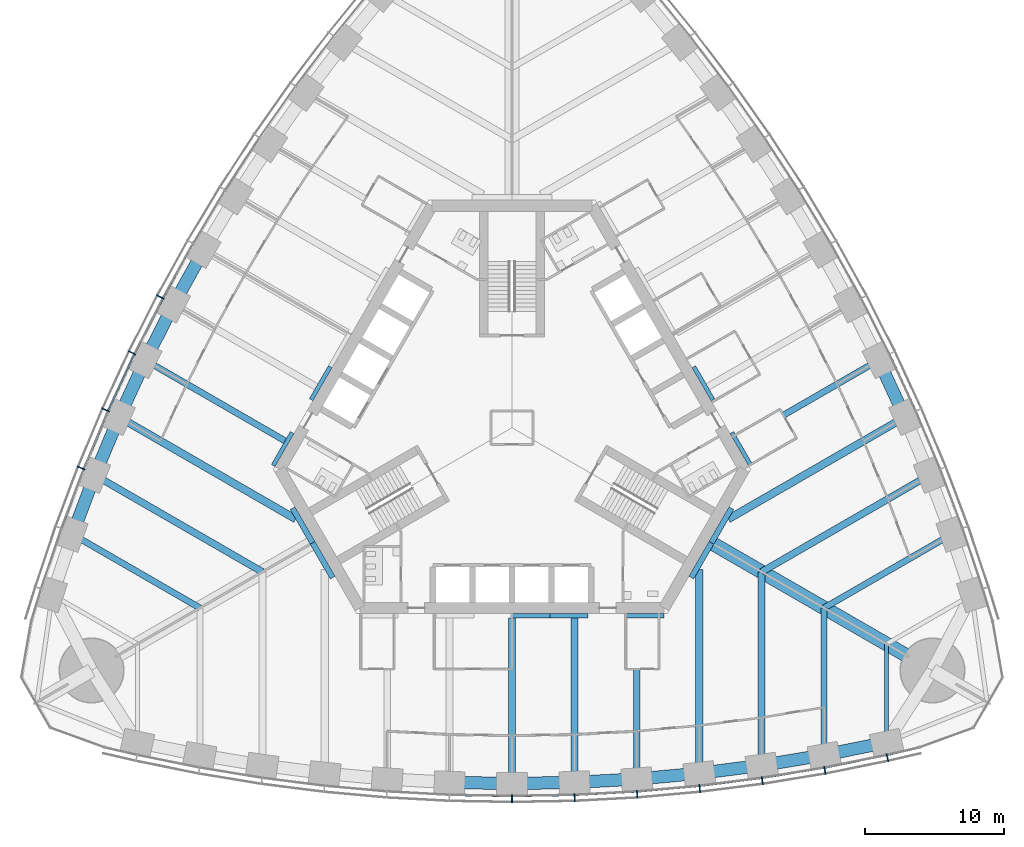
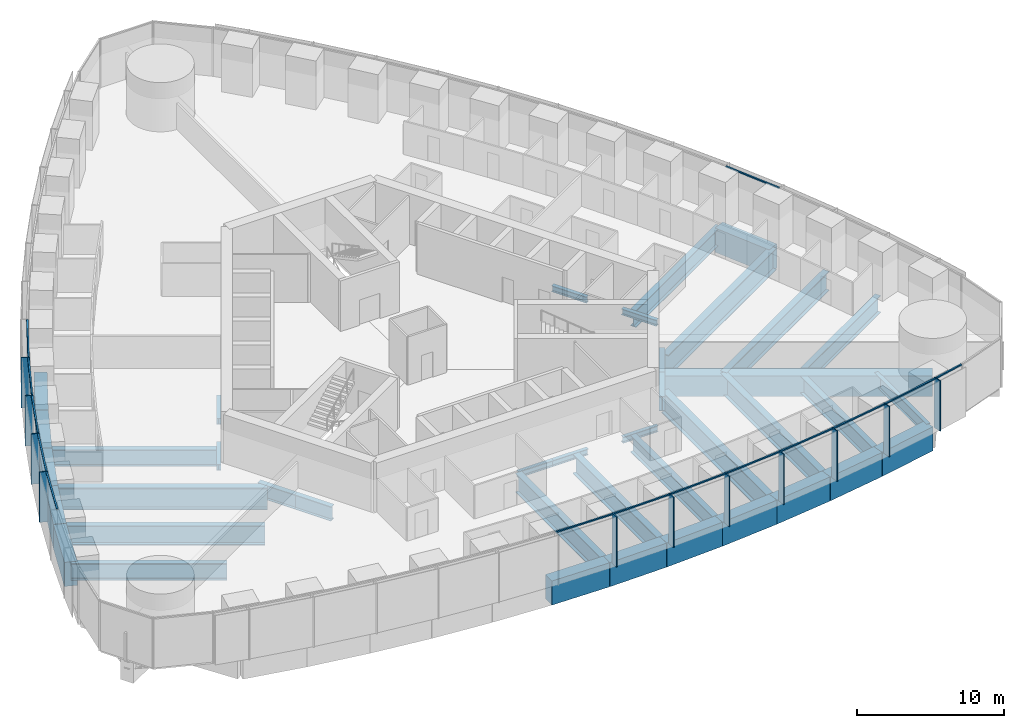
# One storey, part 3 of 19: 40 beams, 25 members, 3 elements without a shape of their own.
"""IFC4 building model written with IfcOpenShell, lengths in metres."""

from ifc_helpers import new_model, si_unit, direction, frame, origin, origin_2d, place, context, subcontext, project, spatial, rectangle, i_section, extrude, material, material_profile, profile_set, type_object, element, aggregate, save


model = new_model("IFC4")

# Units and contexts
model_context = context("Model", 3, precision=1e-05, world=origin(), true_north=direction((0.0, 1.0)))
body_context = subcontext(model_context, "Body", "Model", "MODEL_VIEW")
ifc_project = project(units=[si_unit("LENGTHUNIT", "METRE"), si_unit("AREAUNIT", "SQUARE_METRE"), si_unit("VOLUMEUNIT", "CUBIC_METRE"), si_unit("PLANEANGLEUNIT", "RADIAN"), si_unit("MASSUNIT", "GRAM", prefix="KILO")], contexts=[model_context])

# Site, building, storey
site_placement = place(None, origin())
site = spatial("IfcSite", under=ifc_project, at=site_placement, CompositionType="ELEMENT")
building_placement = place(site_placement, origin())
building = spatial("IfcBuilding", under=site, at=building_placement, Name="Trefoil Bronze Tower", CompositionType="ELEMENT")
storey_placement = place(building_placement, frame((0.0, 0.0, 107.300048828125)))
storey = spatial("IfcBuildingStorey", under=building, at=storey_placement, Name="L24", CompositionType="ELEMENT", Elevation=107.300048828125)

# Curtain wall, members
ifc_material_1 = material(Name="Tinted solar-control glass", Category="glass")
curtain_wall_type = type_object("IfcCurtainWallType", Name="Bronze office curtain wall", PredefinedType="USERDEFINED", material=ifc_material_1)
curtain_wall_1_placement = place(storey_placement, origin())
curtain_wall_1 = element("IfcCurtainWall", 1, at=curtain_wall_1_placement, inside=storey, type_object=curtain_wall_type, Name="CW-A L24 F1", ObjectType="CURTAIN WALL", PredefinedType="USERDEFINED")
ifc_material_2 = material(Name="Bronze-finish aluminium", Category="aluminium")
ifc_material_profile_1 = material_profile(ifc_material_2, rectangle(XDim=0.60009765625, YDim=0.080078125, at=origin_2d()), Name="CW-A mullion")
ifc_profile_set_1 = profile_set([ifc_material_profile_1], Name="Bronze-finish aluminium")
member_type_1 = type_object("IfcMemberType", Name="Bronze office curtain wall mullion", PredefinedType="MULLION", material=ifc_profile_set_1)
member_1_placement = place(storey_placement, frame((0.0, -26.749755859375, 0.0), z_axis=(0.0, 0.0, 1.0), x_axis=(0.0, 1.0, 0.0)))
member_1 = element("IfcMember", 2, at=member_1_placement, type_object=member_type_1, Name="CW-A L24 F1 mullion 8", PredefinedType="MULLION", context=body_context, shape_type="SweptSolid", body=[
    extrude(rectangle(XDim=0.60009765625, YDim=0.080078125, at=origin_2d()), origin(), (0.0, 0.0, 1.0), 4.179931640625),
])
member_2_placement = place(storey_placement, frame((4.5107421875, -26.66845703125, 0.0), z_axis=(0.0, 0.0, 1.0), x_axis=(-0.036047792107, 0.999350067136, 0.0)))
member_2 = element("IfcMember", 3, at=member_2_placement, type_object=member_type_1, Name="CW-A L24 F1 mullion 9", PredefinedType="MULLION", context=body_context, shape_type="SweptSolid", body=[
    extrude(rectangle(XDim=0.60009765625, YDim=0.080078125, at=origin_2d()), origin(), (0.0, 0.0, 1.0), 4.179931640625),
])
member_3_placement = place(storey_placement, frame((9.021728515625, -26.424072265625, 0.0), z_axis=(0.0, 0.0, 1.0), x_axis=(-0.072095676284, 0.997397720802, 0.0)))
member_3 = element("IfcMember", 4, at=member_3_placement, type_object=member_type_1, Name="CW-A L24 F1 mullion 10", PredefinedType="MULLION", context=body_context, shape_type="SweptSolid", body=[
    extrude(rectangle(XDim=0.60009765625, YDim=0.080078125, at=origin_2d()), origin(), (0.0, 0.0, 1.0), 4.179931640625),
])
member_4_placement = place(storey_placement, frame((13.532470703125, -26.01611328125, 0.0), z_axis=(0.0, 0.0, 1.0), x_axis=(-0.108143747013, 0.994135267447, 0.0)))
member_4 = element("IfcMember", 5, at=member_4_placement, type_object=member_type_1, Name="CW-A L24 F1 mullion 11", PredefinedType="MULLION", context=body_context, shape_type="SweptSolid", body=[
    extrude(rectangle(XDim=0.60009765625, YDim=0.080078125, at=origin_2d()), origin(), (0.0, 0.0, 1.0), 4.179931640625),
])
member_5_placement = place(storey_placement, frame((18.043212890625, -25.4423828125, 0.0), z_axis=(0.0, 0.0, 1.0), x_axis=(-0.144192103798, 0.989549714366, 0.0)))
member_5 = element("IfcMember", 6, at=member_5_placement, type_object=member_type_1, Name="CW-A L24 F1 mullion 12", PredefinedType="MULLION", context=body_context, shape_type="SweptSolid", body=[
    extrude(rectangle(XDim=0.60009765625, YDim=0.080078125, at=origin_2d()), origin(), (0.0, 0.0, 1.0), 4.179931640625),
])
member_6_placement = place(storey_placement, frame((22.553955078125, -24.700927734375, 0.0), z_axis=(0.0, 0.0, 1.0), x_axis=(-0.180240853954, 0.98362250613, 0.0)))
member_6 = element("IfcMember", 7, at=member_6_placement, type_object=member_type_1, Name="CW-A L24 F1 mullion 13", PredefinedType="MULLION", context=body_context, shape_type="SweptSolid", body=[
    extrude(rectangle(XDim=0.60009765625, YDim=0.080078125, at=origin_2d()), origin(), (0.0, 0.0, 1.0), 4.179931640625),
])
member_7_placement = place(storey_placement, frame((27.0634765625, -23.7890625, 0.0), z_axis=(0.0, 0.0, 1.0), x_axis=(-0.21197042503, 0.977276081214, 0.0)))
member_7 = element("IfcMember", 8, at=member_7_placement, type_object=member_type_1, Name="CW-A L24 F1 mullion 14", PredefinedType="MULLION", context=body_context, shape_type="SweptSolid", body=[
    extrude(rectangle(XDim=0.60009765625, YDim=0.080078125, at=origin_2d()), origin(), (0.0, 0.0, 1.0), 4.179931640625),
])

curtain_wall_2_placement = place(storey_placement, origin())
curtain_wall_2 = element("IfcCurtainWall", 9, at=curtain_wall_2_placement, inside=storey, type_object=curtain_wall_type, Name="CW-A L24 F3", ObjectType="CURTAIN WALL", PredefinedType="USERDEFINED")
member_8_placement = place(storey_placement, frame((-25.350830078125, 9.427734375, 0.0), z_axis=(0.0, 0.0, 1.0), x_axis=(0.883486441467, -0.468456729853, 0.0)))
member_8 = element("IfcMember", 10, at=member_8_placement, type_object=member_type_1, Name="CW-A L24 F3 mullion 9", PredefinedType="MULLION", context=body_context, shape_type="SweptSolid", body=[
    extrude(rectangle(XDim=0.60009765625, YDim=0.080078125, at=origin_2d()), origin(), (0.0, 0.0, 1.0), 4.179931640625),
])
member_9_placement = place(storey_placement, frame((-27.394775390625, 5.399169921875, 0.0), z_axis=(0.0, 0.0, 1.0), x_axis=(0.899819602033, -0.436262173236, 0.0)))
member_9 = element("IfcMember", 11, at=member_9_placement, type_object=member_type_1, Name="CW-A L24 F3 mullion 10", PredefinedType="MULLION", context=body_context, shape_type="SweptSolid", body=[
    extrude(rectangle(XDim=0.60009765625, YDim=0.080078125, at=origin_2d()), origin(), (0.0, 0.0, 1.0), 4.179931640625),
])
member_10_placement = place(storey_placement, frame((-29.296875, 1.28857421875, 0.0), z_axis=(0.0, 0.0, 1.0), x_axis=(0.915018269914, -0.40341240155, 0.0)))
member_10 = element("IfcMember", 12, at=member_10_placement, type_object=member_type_1, Name="CW-A L24 F3 mullion 11", PredefinedType="MULLION", context=body_context, shape_type="SweptSolid", body=[
    extrude(rectangle(XDim=0.60009765625, YDim=0.080078125, at=origin_2d()), origin(), (0.0, 0.0, 1.0), 4.179931640625),
])
member_11_placement = place(storey_placement, frame((-31.055419921875, -2.90478515625, 0.0), z_axis=(0.0, 0.0, 1.0), x_axis=(0.929071242848, -0.369900832269, 0.0)))
member_11 = element("IfcMember", 13, at=member_11_placement, type_object=member_type_1, Name="CW-A L24 F3 mullion 12", PredefinedType="MULLION", context=body_context, shape_type="SweptSolid", body=[
    extrude(rectangle(XDim=0.60009765625, YDim=0.080078125, at=origin_2d()), origin(), (0.0, 0.0, 1.0), 4.179931640625),
])

# Member
ifc_material_3 = material(Name="Bronze-finish aluminium", Category="aluminium")
ifc_material_profile_2 = material_profile(ifc_material_3, rectangle(XDim=0.1201171875, YDim=0.10009765625, at=origin_2d()), Name="CW-A transom")
ifc_profile_set_2 = profile_set([ifc_material_profile_2], Name="Bronze-finish aluminium")
member_type_2 = type_object("IfcMemberType", Name="Bronze office curtain wall transom", PredefinedType="USERDEFINED", material=ifc_profile_set_2)
member_12_placement = place(storey_placement, frame((-4.4619140625, -26.46923828125, 4.1298828125), z_axis=(0.999837930028, -0.018003157426, 0.0), x_axis=(0.018003157426, 0.999837930028, 0.0)))
member_12 = element("IfcMember", 14, at=member_12_placement, type_object=member_type_2, Name="CW-A L24 F1 transom 7", ObjectType="TRANSOM", PredefinedType="USERDEFINED", context=body_context, shape_type="SweptSolid", body=[
    extrude(rectangle(XDim=0.1201171875, YDim=0.10009765625, at=origin_2d()), origin(), (0.0, 0.0, 1.0), 4.4208984375),
])

member_13_placement = place(storey_placement, frame((0.041748046875, -26.548828125, 4.1298828125), z_axis=(0.999837930028, 0.018003157426, 0.0), x_axis=(-0.018003157426, 0.999837930028, 0.0)))
member_13 = element("IfcMember", 15, at=member_13_placement, type_object=member_type_2, Name="CW-A L24 F1 transom 8", ObjectType="TRANSOM", PredefinedType="USERDEFINED", context=body_context, shape_type="SweptSolid", body=[
    extrude(rectangle(XDim=0.1201171875, YDim=0.10009765625, at=origin_2d()), origin(), (0.0, 0.0, 1.0), 4.4208984375),
])

member_14_placement = place(storey_placement, frame((4.54541015625, -26.46630859375, 4.1298828125), z_axis=(0.998538253569, 0.054049571306, 0.0), x_axis=(-0.054049571306, 0.998538253569, 0.0)))
member_14 = element("IfcMember", 16, at=member_14_placement, type_object=member_type_2, Name="CW-A L24 F1 transom 9", ObjectType="TRANSOM", PredefinedType="USERDEFINED", context=body_context, shape_type="SweptSolid", body=[
    extrude(rectangle(XDim=0.1201171875, YDim=0.10009765625, at=origin_2d()), origin(), (0.0, 0.0, 1.0), 4.4267578125),
])

member_15_placement = place(storey_placement, frame((9.048828125, -26.220947265625, 4.1298828125), z_axis=(0.995932787062, 0.090099298863, 0.0), x_axis=(-0.090099298863, 0.995932787062, 0.0)))
member_15 = element("IfcMember", 17, at=member_15_placement, type_object=member_type_2, Name="CW-A L24 F1 transom 10", ObjectType="TRANSOM", PredefinedType="USERDEFINED", context=body_context, shape_type="SweptSolid", body=[
    extrude(rectangle(XDim=0.1201171875, YDim=0.10009765625, at=origin_2d()), origin(), (0.0, 0.0, 1.0), 4.4384765625),
])

member_16_placement = place(storey_placement, frame((13.55224609375, -25.81201171875, 4.1298828125), z_axis=(0.992008387848, 0.12617193998, 0.0), x_axis=(-0.12617193998, 0.992008387848, 0.0)))
member_16 = element("IfcMember", 18, at=member_16_placement, type_object=member_type_2, Name="CW-A L24 F1 transom 11", ObjectType="TRANSOM", PredefinedType="USERDEFINED", context=body_context, shape_type="SweptSolid", body=[
    extrude(rectangle(XDim=0.1201171875, YDim=0.10009765625, at=origin_2d()), origin(), (0.0, 0.0, 1.0), 4.456298828125),
])

member_17_placement = place(storey_placement, frame((18.0556640625, -25.23779296875, 4.1298828125), z_axis=(0.986755265284, 0.162216048636, 0.0), x_axis=(-0.162216048636, 0.986755265284, 0.0)))
member_17 = element("IfcMember", 19, at=member_17_placement, type_object=member_type_2, Name="CW-A L24 F1 transom 12", ObjectType="TRANSOM", PredefinedType="USERDEFINED", context=body_context, shape_type="SweptSolid", body=[
    extrude(rectangle(XDim=0.1201171875, YDim=0.10009765625, at=origin_2d()), origin(), (0.0, 0.0, 1.0), 4.48046875),
])

member_18_placement = place(storey_placement, frame((22.55908203125, -24.49609375, 4.1298828125), z_axis=(0.980153749225, 0.198238815273, 0.0), x_axis=(-0.198238815273, 0.980153749225, 0.0)))
member_18 = element("IfcMember", 20, at=member_18_placement, type_object=member_type_2, Name="CW-A L24 F1 transom 13", ObjectType="TRANSOM", PredefinedType="USERDEFINED", context=body_context, shape_type="SweptSolid", body=[
    extrude(rectangle(XDim=0.1201171875, YDim=0.10009765625, at=origin_2d()), origin(), (0.0, 0.0, 1.0), 4.51123046875),
])

member_19_placement = place(storey_placement, frame((27.0615234375, -23.584228515625, 4.1298828125), z_axis=(0.974206243495, 0.225659467196, 0.0), x_axis=(-0.225659467196, 0.974206243495, 0.0)))
member_19 = element("IfcMember", 21, at=member_19_placement, type_object=member_type_2, Name="CW-A L24 F1 transom 14", ObjectType="TRANSOM", PredefinedType="USERDEFINED", context=body_context, shape_type="SweptSolid", body=[
    extrude(rectangle(XDim=0.1201171875, YDim=0.10009765625, at=origin_2d()), origin(), (0.0, 0.0, 1.0), 2.340087890625),
])

aggregate(curtain_wall_1, [member_1, member_2, member_3, member_4, member_5, member_6, member_7, member_12, member_13, member_14, member_15, member_16, member_17, member_18, member_19])

# Curtain wall, member
curtain_wall_3_placement = place(storey_placement, origin())
curtain_wall_3 = element("IfcCurtainWall", 22, at=curtain_wall_3_placement, inside=storey, type_object=curtain_wall_type, Name="CW-A L24 F2", ObjectType="CURTAIN WALL", PredefinedType="USERDEFINED")
member_20_placement = place(storey_placement, frame((29.09619140625, 1.245849609375, 4.1298828125), z_axis=(-0.419923072198, 0.907559702409, 0.0), x_axis=(-0.907559702409, -0.419923072198, 0.0)))
member_20 = element("IfcMember", 23, at=member_20_placement, type_object=member_type_2, Name="CW-A L24 F2 transom 5", ObjectType="TRANSOM", PredefinedType="USERDEFINED", context=body_context, shape_type="SweptSolid", body=[
    extrude(rectangle(XDim=0.1201171875, YDim=0.10009765625, at=origin_2d()), origin(), (0.0, 0.0, 1.0), 4.4384765625),
])
aggregate(curtain_wall_3, [member_20])

# Member
member_21_placement = place(storey_placement, frame((-23.012939453125, 13.23828125, 4.1298828125), z_axis=(-0.484329470343, -0.874885686337, 0.0), x_axis=(0.874885686337, -0.484329470343, 0.0)))
member_21 = element("IfcMember", 24, at=member_21_placement, type_object=member_type_2, Name="CW-A L24 F3 transom 8", ObjectType="TRANSOM", PredefinedType="USERDEFINED", context=body_context, shape_type="SweptSolid", body=[
    extrude(rectangle(XDim=0.1201171875, YDim=0.10009765625, at=origin_2d()), origin(), (0.0, 0.0, 1.0), 4.4208984375),
])

member_22_placement = place(storey_placement, frame((-25.193115234375, 9.296630859375, 4.1298828125), z_axis=(-0.452478489814, -0.891775317138, 0.0), x_axis=(0.891775317138, -0.452478489814, 0.0)))
member_22 = element("IfcMember", 25, at=member_22_placement, type_object=member_type_2, Name="CW-A L24 F3 transom 9", ObjectType="TRANSOM", PredefinedType="USERDEFINED", context=body_context, shape_type="SweptSolid", body=[
    extrude(rectangle(XDim=0.1201171875, YDim=0.10009765625, at=origin_2d()), origin(), (0.0, 0.0, 1.0), 4.426513671875),
])

member_23_placement = place(storey_placement, frame((-27.232421875, 5.27392578125, 4.1298828125), z_axis=(-0.419923072198, -0.907559702409, 0.0), x_axis=(0.907559702409, -0.419923072198, 0.0)))
member_23 = element("IfcMember", 26, at=member_23_placement, type_object=member_type_2, Name="CW-A L24 F3 transom 10", ObjectType="TRANSOM", PredefinedType="USERDEFINED", context=body_context, shape_type="SweptSolid", body=[
    extrude(rectangle(XDim=0.1201171875, YDim=0.10009765625, at=origin_2d()), origin(), (0.0, 0.0, 1.0), 4.4384765625),
])

member_24_placement = place(storey_placement, frame((-29.1298828125, 1.16943359375, 4.1298828125), z_axis=(-0.386773266184, -0.922174842731, 0.0), x_axis=(0.922174842731, -0.386773266184, 0.0)))
member_24 = element("IfcMember", 27, at=member_24_placement, type_object=member_type_2, Name="CW-A L24 F3 transom 11", ObjectType="TRANSOM", PredefinedType="USERDEFINED", context=body_context, shape_type="SweptSolid", body=[
    extrude(rectangle(XDim=0.1201171875, YDim=0.10009765625, at=origin_2d()), origin(), (0.0, 0.0, 1.0), 4.45654296875),
])

member_25_placement = place(storey_placement, frame((-30.88427734375, -3.017822265625, 4.1298828125), z_axis=(-0.352932154759, -0.935648916067, 0.0), x_axis=(0.935648916067, -0.352932154759, 0.0)))
member_25 = element("IfcMember", 28, at=member_25_placement, type_object=member_type_2, Name="CW-A L24 F3 transom 12", ObjectType="TRANSOM", PredefinedType="USERDEFINED", context=body_context, shape_type="SweptSolid", body=[
    extrude(rectangle(XDim=0.1201171875, YDim=0.10009765625, at=origin_2d()), origin(), (0.0, 0.0, 1.0), 4.48046875),
])

aggregate(curtain_wall_2, [member_8, member_9, member_10, member_11, member_21, member_22, member_23, member_24, member_25])

# Beams
ifc_material_4 = material(Name="Steel C355", Category="steel")
ifc_material_profile_3 = material_profile(ifc_material_4, i_section(OverallWidth=0.300048828125, OverallDepth=0.5, WebThickness=0.014404296875, FlangeThickness=0.028076171875, FilletRadius=0.027099609375, at=origin_2d()), Name="HEB 500")
ifc_profile_set_3 = profile_set([ifc_material_profile_3], Name="Steel C355")
beam_type_1 = type_object("IfcBeamType", Name="Core seat beam HEB 500", PredefinedType="BEAM", material=ifc_profile_set_3)
for number, where, z_axis, x_axis, name in (
    (29, (0.0, -13.550048828125, -0.449951171875), (1.0, 0.0, 0.0), (0.0, 1.0, 0.0), "Core seat beam F1/+0 L24"),
    (30, (2.742431640625, -13.550048828125, -0.449951171875), (1.0, 0.0, 0.0), (0.0, 1.0, 0.0), "Core seat beam F1/+1 L24"),
    (31, (8.227294921875, -13.550048828125, -0.449951171875), (1.0, 0.0, 0.0), (0.0, 1.0, 0.0), "Core seat beam F1/+2 L24"),
    (32, (17.219482421875, -2.72509765625, -0.449951171875), (-0.500035825175, 0.866004719122, 0.0), (-0.866004719122, -0.500035825175, 0.0), "Core seat beam F2/-2 L24"),
    (33, (14.47705078125, 2.02490234375, -0.449951171875), (-0.499969057507, 0.866043267704, 0.0), (-0.866043267704, -0.499969057507, 0.0), "Core seat beam F2/-1 L24"),
    (34, (-13.10595703125, 4.39990234375, -0.449951171875), (-0.499969057507, -0.866043267704, 0.0), (0.866043267704, -0.499969057507, 0.0), "Core seat beam F3/+1 L24"),
    (35, (-15.84814453125, -0.35009765625, -0.449951171875), (-0.500035825175, -0.866004719122, 0.0), (0.866004719122, -0.500035825175, 0.0), "Core seat beam F3/+2 L24"),
):
    element("IfcBeam", number, at=place(storey_placement, frame(where, z_axis=z_axis, x_axis=x_axis)), inside=storey, type_object=beam_type_1, Name=name, PredefinedType="BEAM", context=body_context, shape_type="SweptSolid", body=[
        extrude(i_section(OverallWidth=0.300048828125, OverallDepth=0.5, WebThickness=0.014404296875, FlangeThickness=0.028076171875, FilletRadius=0.027099609375, at=origin_2d()), origin(), (0.0, 0.0, 1.0), 2.742431640625),
    ])
ifc_material_5 = material(Name="Steel C355", Category="steel")
ifc_material_profile_4 = material_profile(ifc_material_5, i_section(OverallWidth=0.39990234375, OverallDepth=1.199951171875, WebThickness=0.02001953125, FlangeThickness=0.0400390625, FilletRadius=0.010009765625, at=origin_2d()), Name="WPG 1200")
ifc_profile_set_4 = profile_set([ifc_material_profile_4], Name="Steel C355")
beam_type_2 = type_object("IfcBeamType", Name="Core seat beam WPG 1200", PredefinedType="BEAM", material=ifc_profile_set_4)
for number, where, z_axis, x_axis, name in (
    (36, (-14.3759765625, -8.300048828125, -0.800048828125), (0.499995765644, -0.866027848477, 0.0), (0.866027848477, 0.499995765644, 0.0), "Core seat beam F1/-3 L24"),
    (37, (12.9326171875, -10.800048828125, -0.800048828125), (0.499995765644, 0.866027848477, 0.0), (-0.866027848477, 0.499995765644, 0.0), "Core seat beam F1/+3 L24"),
    (38, (14.3759765625, -8.300048828125, -0.800048828125), (0.499995765644, 0.866027848477, 0.0), (-0.866027848477, 0.499995765644, 0.0), "Core seat beam F2/-3 L24"),
    (39, (-15.8193359375, -5.800048828125, -0.800048828125), (0.499995765644, -0.866027848477, 0.0), (0.866027848477, 0.499995765644, 0.0), "Core seat beam F3/+3 L24"),
):
    element("IfcBeam", number, at=place(storey_placement, frame(where, z_axis=z_axis, x_axis=x_axis)), inside=storey, type_object=beam_type_2, Name=name, PredefinedType="BEAM", context=body_context, shape_type="SweptSolid", body=[
        extrude(i_section(OverallWidth=0.39990234375, OverallDepth=1.199951171875, WebThickness=0.02001953125, FlangeThickness=0.0400390625, FilletRadius=0.010009765625, at=origin_2d()), origin(), (0.0, 0.0, 1.0), 2.88671875),
    ])
ifc_material_6 = material(Name="Concrete B80", Category="concrete")
ifc_material_profile_5 = material_profile(ifc_material_6, rectangle(XDim=1.0, YDim=1.699951171875, at=origin_2d()), Name="RC 1000x1700")
ifc_profile_set_5 = profile_set([ifc_material_profile_5], Name="Concrete B80")
beam_type_3 = type_object("IfcBeamType", Name="Corner girder RC 1000x1700", PredefinedType="BEAM", material=ifc_profile_set_5)
beam_1_placement = place(storey_placement, frame((14.202880859375, -8.199951171875, -1.050048828125), z_axis=(0.866022084834, -0.500005748546, 0.0), x_axis=(0.500005748546, 0.866022084834, 0.0)))
element("IfcBeam", 40, at=beam_1_placement, inside=storey, type_object=beam_type_3, Name="Corner girder K1 L24", PredefinedType="BEAM", context=body_context, shape_type="SweptSolid", body=[
    extrude(rectangle(XDim=1.0, YDim=1.699951171875, at=origin_2d()), origin(), (0.0, 0.0, 1.0), 18.599853515625),
])
ifc_material_7 = material(Name="Steel C355", Category="steel")
ifc_material_profile_6 = material_profile(ifc_material_7, i_section(OverallWidth=0.300048828125, OverallDepth=1.0, WebThickness=0.01904296875, FlangeThickness=0.035888671875, FilletRadius=0.030029296875, at=origin_2d()), Name="HEB 1000")
ifc_profile_set_6 = profile_set([ifc_material_profile_6], Name="Steel C355")
beam_type_4 = type_object("IfcBeamType", Name="Floor beam HEB 1000", PredefinedType="BEAM", material=ifc_profile_set_6)
beam_2_placement = place(storey_placement, frame((27.0, -22.67724609375, -0.699951171875), z_axis=(0.0, 1.0, 0.0), x_axis=(-1.0, 0.0, 0.0)))
element("IfcBeam", 41, at=beam_2_placement, inside=storey, type_object=beam_type_4, Name="Floor beam F1/+6 L24", PredefinedType="BEAM", context=body_context, shape_type="SweptSolid", body=[
    extrude(i_section(OverallWidth=0.300048828125, OverallDepth=1.0, WebThickness=0.01904296875, FlangeThickness=0.035888671875, FilletRadius=0.030029296875, at=origin_2d()), origin(), (0.0, 0.0, 1.0), 7.0888671875),
])
ifc_material_8 = material(Name="Steel C355", Category="steel")
ifc_material_profile_7 = material_profile(ifc_material_8, i_section(OverallWidth=0.449951171875, OverallDepth=1.39990234375, WebThickness=0.02294921875, FlangeThickness=0.044921875, FilletRadius=0.011962890625, at=origin_2d()), Name="WPG 1400")
ifc_profile_set_7 = profile_set([ifc_material_profile_7], Name="Steel C355")
beam_type_5 = type_object("IfcBeamType", Name="Floor beam WPG 1400", PredefinedType="BEAM", material=ifc_profile_set_7)
beam_3_placement = place(storey_placement, frame((9.0, -25.32275390625, -0.900146484375), z_axis=(0.0, 1.0, 0.0), x_axis=(-1.0, 0.0, 0.0)))
element("IfcBeam", 42, at=beam_3_placement, inside=storey, type_object=beam_type_5, Name="Floor beam F1/+2 L24", PredefinedType="BEAM", context=body_context, shape_type="SweptSolid", body=[
    extrude(i_section(OverallWidth=0.449951171875, OverallDepth=1.39990234375, WebThickness=0.02294921875, FlangeThickness=0.044921875, FilletRadius=0.011962890625, at=origin_2d()), origin(), (0.0, 0.0, 1.0), 11.622802734375),
])
beam_4_placement = place(storey_placement, frame((22.5, -23.592529296875, -0.900146484375), z_axis=(0.0, 1.0, 0.0), x_axis=(-1.0, 0.0, 0.0)))
element("IfcBeam", 43, at=beam_4_placement, inside=storey, type_object=beam_type_5, Name="Floor beam F1/+5 L24", PredefinedType="BEAM", context=body_context, shape_type="SweptSolid", body=[
    extrude(i_section(OverallWidth=0.449951171875, OverallDepth=1.39990234375, WebThickness=0.02294921875, FlangeThickness=0.044921875, FilletRadius=0.011962890625, at=origin_2d()), origin(), (0.0, 0.0, 1.0), 10.60205078125),
])
beam_5_placement = place(storey_placement, frame((31.681884765625, -7.689208984375, -0.900146484375), z_axis=(-0.866021079084, -0.500007490527, 0.0), x_axis=(0.500007490527, -0.866021079084, 0.0)))
element("IfcBeam", 44, at=beam_5_placement, inside=storey, type_object=beam_type_5, Name="Floor beam F2/-5 L24", PredefinedType="BEAM", context=body_context, shape_type="SweptSolid", body=[
    extrude(i_section(OverallWidth=0.449951171875, OverallDepth=1.39990234375, WebThickness=0.02294921875, FlangeThickness=0.044921875, FilletRadius=0.011962890625, at=origin_2d()), origin(), (0.0, 0.0, 1.0), 10.602294921875),
])
for number, where, z_axis, x_axis, name in (
    (45, (26.43017578125, 4.8671875, -0.900146484375), (-0.866021531335, -0.500006707218, 0.0), (0.500006707218, -0.866021531335, 0.0), "Floor beam F2/-2 L24"),
    (46, (-26.43017578125, 4.8671875, -0.900146484375), (0.866021531335, -0.500006707218, 0.0), (0.500006707218, 0.866021531335, 0.0), "Floor beam F3/+2 L24"),
):
    element("IfcBeam", number, at=place(storey_placement, frame(where, z_axis=z_axis, x_axis=x_axis)), inside=storey, type_object=beam_type_5, Name=name, PredefinedType="BEAM", context=body_context, shape_type="SweptSolid", body=[
        extrude(i_section(OverallWidth=0.449951171875, OverallDepth=1.39990234375, WebThickness=0.02294921875, FlangeThickness=0.044921875, FilletRadius=0.011962890625, at=origin_2d()), origin(), (0.0, 0.0, 1.0), 11.622802734375),
    ])
beam_6_placement = place(storey_placement, frame((-31.681884765625, -7.689208984375, -0.900146484375), z_axis=(0.866021079084, -0.500007490527, 0.0), x_axis=(0.500007490527, 0.866021079084, 0.0)))
element("IfcBeam", 47, at=beam_6_placement, inside=storey, type_object=beam_type_5, Name="Floor beam F3/+5 L24", PredefinedType="BEAM", context=body_context, shape_type="SweptSolid", body=[
    extrude(i_section(OverallWidth=0.449951171875, OverallDepth=1.39990234375, WebThickness=0.02294921875, FlangeThickness=0.044921875, FilletRadius=0.011962890625, at=origin_2d()), origin(), (0.0, 0.0, 1.0), 10.602294921875),
])
ifc_material_9 = material(Name="Steel C355", Category="steel")
ifc_material_profile_8 = material_profile(ifc_material_9, i_section(OverallWidth=0.5, OverallDepth=1.60009765625, WebThickness=0.02587890625, FlangeThickness=0.050048828125, FilletRadius=0.011962890625, at=origin_2d()), Name="WPG 1600")
ifc_profile_set_8 = profile_set([ifc_material_profile_8], Name="Steel C355")
beam_type_6 = type_object("IfcBeamType", Name="Floor beam WPG 1600", PredefinedType="BEAM", material=ifc_profile_set_8)
beam_7_placement = place(storey_placement, frame((0.0, -25.649658203125, -1.0), z_axis=(0.0, 1.0, 0.0), x_axis=(-1.0, 0.0, 0.0)))
element("IfcBeam", 48, at=beam_7_placement, inside=storey, type_object=beam_type_6, Name="Floor beam F1/+0 L24", PredefinedType="BEAM", context=body_context, shape_type="SweptSolid", body=[
    extrude(i_section(OverallWidth=0.5, OverallDepth=1.60009765625, WebThickness=0.02587890625, FlangeThickness=0.050048828125, FilletRadius=0.011962890625, at=origin_2d()), origin(), (0.0, 0.0, 1.0), 11.94970703125),
])
beam_8_placement = place(storey_placement, frame((4.5, -25.568115234375, -1.0), z_axis=(0.0, 1.0, 0.0), x_axis=(-1.0, 0.0, 0.0)))
element("IfcBeam", 49, at=beam_8_placement, inside=storey, type_object=beam_type_6, Name="Floor beam F1/+1 L24", PredefinedType="BEAM", context=body_context, shape_type="SweptSolid", body=[
    extrude(i_section(OverallWidth=0.5, OverallDepth=1.60009765625, WebThickness=0.02587890625, FlangeThickness=0.050048828125, FilletRadius=0.011962890625, at=origin_2d()), origin(), (0.0, 0.0, 1.0), 11.8681640625),
])
for number, where, z_axis, x_axis, name in (
    (50, (18.0, -24.337158203125, -1.0), (0.0, 1.0, 0.0), (-1.0, 0.0, 0.0), "Floor beam F1/+4 L24"),
    (51, (30.07666015625, -3.419921875, -1.0), (-0.866026983775, -0.499997263366, 0.0), (0.499997263366, -0.866026983775, 0.0), "Floor beam F2/-4 L24"),
    (52, (-30.07666015625, -3.419921875, -1.0), (0.866026983775, -0.499997263366, 0.0), (0.499997263366, 0.866026983775, 0.0), "Floor beam F3/+4 L24"),
):
    element("IfcBeam", number, at=place(storey_placement, frame(where, z_axis=z_axis, x_axis=x_axis)), inside=storey, type_object=beam_type_6, Name=name, PredefinedType="BEAM", context=body_context, shape_type="SweptSolid", body=[
        extrude(i_section(OverallWidth=0.5, OverallDepth=1.60009765625, WebThickness=0.02587890625, FlangeThickness=0.050048828125, FilletRadius=0.011962890625, at=origin_2d()), origin(), (0.0, 0.0, 1.0), 13.94482421875),
    ])
ifc_material_10 = material(Name="Steel C355", Category="steel")
ifc_material_profile_9 = material_profile(ifc_material_10, i_section(OverallWidth=0.550048828125, OverallDepth=1.800048828125, WebThickness=0.029052734375, FlangeThickness=0.054931640625, FilletRadius=0.013916015625, at=origin_2d()), Name="WPG 1800")
ifc_profile_set_9 = profile_set([ifc_material_profile_9], Name="Steel C355")
beam_type_7 = type_object("IfcBeamType", Name="Floor beam WPG 1800", PredefinedType="BEAM", material=ifc_profile_set_9)
for number, where, z_axis, x_axis, name in (
    (53, (13.5, -24.9130859375, -1.10009765625), (0.0, 1.0, 0.0), (-1.0, 0.0, 0.0), "Floor beam F1/+3 L24"),
    (54, (28.325439453125, 0.76513671875, -1.10009765625), (-0.866027342682, -0.499996641717, 0.0), (0.499996641717, -0.866027342682, 0.0), "Floor beam F2/-3 L24"),
    (55, (-28.325439453125, 0.76513671875, -1.10009765625), (0.866027342682, -0.499996641717, 0.0), (0.499996641717, 0.866027342682, 0.0), "Floor beam F3/+3 L24"),
):
    element("IfcBeam", number, at=place(storey_placement, frame(where, z_axis=z_axis, x_axis=x_axis)), inside=storey, type_object=beam_type_7, Name=name, PredefinedType="BEAM", context=body_context, shape_type="SweptSolid", body=[
        extrude(i_section(OverallWidth=0.550048828125, OverallDepth=1.800048828125, WebThickness=0.029052734375, FlangeThickness=0.054931640625, FilletRadius=0.013916015625, at=origin_2d()), origin(), (0.0, 0.0, 1.0), 14.69580078125),
    ])
ifc_material_11 = material(Name="Concrete B80", Category="concrete")
ifc_material_profile_10 = material_profile(ifc_material_11, rectangle(XDim=0.89990234375, YDim=2.0, at=origin_2d()), Name="RC 900x2000")
ifc_profile_set_10 = profile_set([ifc_material_profile_10], Name="Concrete B80")
beam_type_8 = type_object("IfcBeamType", Name="Spandrel beam RC 900x2000", PredefinedType="SPANDREL", material=ifc_profile_set_10)
for number, where, z_axis, x_axis, name in (
    (56, (-4.5, -25.568115234375, -1.199951171875), (0.999835861267, -0.01811768542, 0.0), (0.01811768542, 0.999835861267, 0.0), "Spandrel F1.7 L24"),
    (57, (0.0, -25.649658203125, -1.199951171875), (0.999835861267, 0.01811768542, 0.0), (-0.01811768542, 0.999835861267, 0.0), "Spandrel F1.8 L24"),
):
    element("IfcBeam", number, at=place(storey_placement, frame(where, z_axis=z_axis, x_axis=x_axis)), inside=storey, type_object=beam_type_8, Name=name, PredefinedType="SPANDREL", context=body_context, shape_type="SweptSolid", body=[
        extrude(rectangle(XDim=0.89990234375, YDim=2.0, at=origin_2d()), origin(), (0.0, 0.0, 1.0), 4.500732421875),
    ])
beam_9_placement = place(storey_placement, frame((4.5, -25.568115234375, -1.199951171875), z_axis=(0.998516832602, 0.054443870267, 0.0), x_axis=(-0.054443870267, 0.998516832602, 0.0)))
element("IfcBeam", 58, at=beam_9_placement, inside=storey, type_object=beam_type_8, Name="Spandrel F1.9 L24", PredefinedType="SPANDREL", context=body_context, shape_type="SweptSolid", body=[
    extrude(rectangle(XDim=0.89990234375, YDim=2.0, at=origin_2d()), origin(), (0.0, 0.0, 1.0), 4.506591796875),
])
beam_10_placement = place(storey_placement, frame((9.0, -25.32275390625, -1.199951171875), z_axis=(0.995881683815, 0.090662405894, 0.0), x_axis=(-0.090662405894, 0.995881683815, 0.0)))
element("IfcBeam", 59, at=beam_10_placement, inside=storey, type_object=beam_type_8, Name="Spandrel F1.10 L24", PredefinedType="SPANDREL", context=body_context, shape_type="SweptSolid", body=[
    extrude(rectangle(XDim=0.89990234375, YDim=2.0, at=origin_2d()), origin(), (0.0, 0.0, 1.0), 4.5185546875),
])
beam_11_placement = place(storey_placement, frame((13.5, -24.9130859375, -1.199951171875), z_axis=(0.991909314257, 0.126948463126, 0.0), x_axis=(-0.126948463126, 0.991909314257, 0.0)))
element("IfcBeam", 60, at=beam_11_placement, inside=storey, type_object=beam_type_8, Name="Spandrel F1.11 L24", PredefinedType="SPANDREL", context=body_context, shape_type="SweptSolid", body=[
    extrude(rectangle(XDim=0.89990234375, YDim=2.0, at=origin_2d()), origin(), (0.0, 0.0, 1.0), 4.53662109375),
])
beam_12_placement = place(storey_placement, frame((18.0, -24.337158203125, -1.199951171875), z_axis=(0.986584214684, 0.163253138823, 0.0), x_axis=(-0.163253138823, 0.986584214684, 0.0)))
element("IfcBeam", 61, at=beam_12_placement, inside=storey, type_object=beam_type_8, Name="Spandrel F1.12 L24", PredefinedType="SPANDREL", context=body_context, shape_type="SweptSolid", body=[
    extrude(rectangle(XDim=0.89990234375, YDim=2.0, at=origin_2d()), origin(), (0.0, 0.0, 1.0), 4.561279296875),
])
beam_13_placement = place(storey_placement, frame((22.5, -23.592529296875, -1.199951171875), z_axis=(0.979935430296, 0.199315208777, 0.0), x_axis=(-0.199315208777, 0.979935430296, 0.0)))
element("IfcBeam", 62, at=beam_13_placement, inside=storey, type_object=beam_type_8, Name="Spandrel F1.13 L24", PredefinedType="SPANDREL", context=body_context, shape_type="SweptSolid", body=[
    extrude(rectangle(XDim=0.89990234375, YDim=2.0, at=origin_2d()), origin(), (0.0, 0.0, 1.0), 4.592041015625),
])
beam_14_placement = place(storey_placement, frame((28.325439453125, 0.76513671875, -1.199951171875), z_axis=(-0.419424747755, 0.907790108434, 0.0), x_axis=(-0.907790108434, -0.419424747755, 0.0)))
element("IfcBeam", 63, at=beam_14_placement, inside=storey, type_object=beam_type_8, Name="Spandrel F2.5 L24", PredefinedType="SPANDREL", context=body_context, shape_type="SweptSolid", body=[
    extrude(rectangle(XDim=0.89990234375, YDim=2.0, at=origin_2d()), origin(), (0.0, 0.0, 1.0), 4.518798828125),
])
beam_15_placement = place(storey_placement, frame((-22.21337890625, 12.824951171875, -1.199951171875), z_axis=(-0.484186866546, -0.874964615436, 0.0), x_axis=(0.874964615436, -0.484186866546, 0.0)))
element("IfcBeam", 64, at=beam_15_placement, inside=storey, type_object=beam_type_8, Name="Spandrel F3.8 L24", PredefinedType="SPANDREL", context=body_context, shape_type="SweptSolid", body=[
    extrude(rectangle(XDim=0.89990234375, YDim=2.0, at=origin_2d()), origin(), (0.0, 0.0, 1.0), 4.500732421875),
])
beam_16_placement = place(storey_placement, frame((-24.392578125, 8.886962890625, -1.199951171875), z_axis=(-0.452125717735, -0.891954222683, 0.0), x_axis=(0.891954222683, -0.452125717735, 0.0)))
element("IfcBeam", 65, at=beam_16_placement, inside=storey, type_object=beam_type_8, Name="Spandrel F3.9 L24", PredefinedType="SPANDREL", context=body_context, shape_type="SweptSolid", body=[
    extrude(rectangle(XDim=0.89990234375, YDim=2.0, at=origin_2d()), origin(), (0.0, 0.0, 1.0), 4.506591796875),
])
beam_17_placement = place(storey_placement, frame((-26.43017578125, 4.8671875, -1.199951171875), z_axis=(-0.419424747755, -0.907790108434, 0.0), x_axis=(0.907790108434, -0.419424747755, 0.0)))
element("IfcBeam", 66, at=beam_17_placement, inside=storey, type_object=beam_type_8, Name="Spandrel F3.10 L24", PredefinedType="SPANDREL", context=body_context, shape_type="SweptSolid", body=[
    extrude(rectangle(XDim=0.89990234375, YDim=2.0, at=origin_2d()), origin(), (0.0, 0.0, 1.0), 4.518798828125),
])
beam_18_placement = place(storey_placement, frame((-28.325439453125, 0.76513671875, -1.199951171875), z_axis=(-0.386013490858, -0.922493135408, 0.0), x_axis=(0.922493135408, -0.386013490858, 0.0)))
element("IfcBeam", 67, at=beam_18_placement, inside=storey, type_object=beam_type_8, Name="Spandrel F3.11 L24", PredefinedType="SPANDREL", context=body_context, shape_type="SweptSolid", body=[
    extrude(rectangle(XDim=0.89990234375, YDim=2.0, at=origin_2d()), origin(), (0.0, 0.0, 1.0), 4.53662109375),
])
beam_19_placement = place(storey_placement, frame((-30.07666015625, -3.419921875, -1.199951171875), z_axis=(-0.351938675523, -0.936023059904, 0.0), x_axis=(0.936023059904, -0.351938675523, 0.0)))
element("IfcBeam", 68, at=beam_19_placement, inside=storey, type_object=beam_type_8, Name="Spandrel F3.12 L24", PredefinedType="SPANDREL", context=body_context, shape_type="SweptSolid", body=[
    extrude(rectangle(XDim=0.89990234375, YDim=2.0, at=origin_2d()), origin(), (0.0, 0.0, 1.0), 4.56103515625),
])

save(model, "model.ifc")
